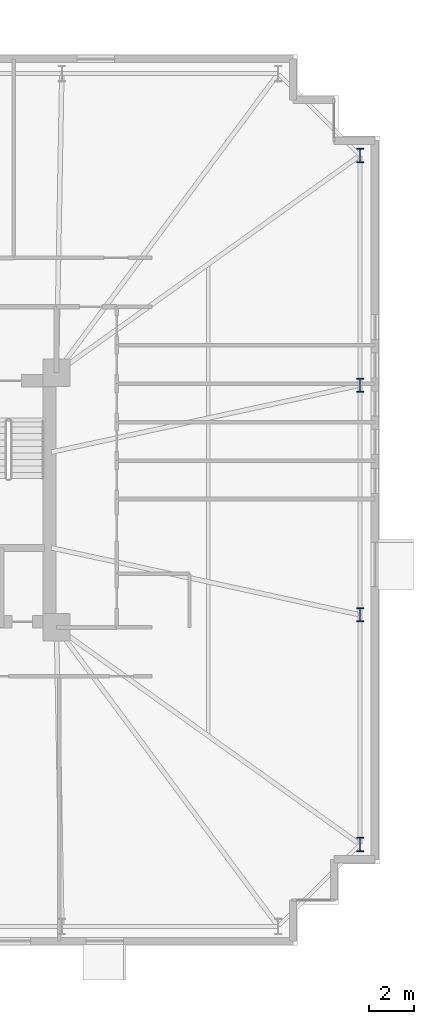
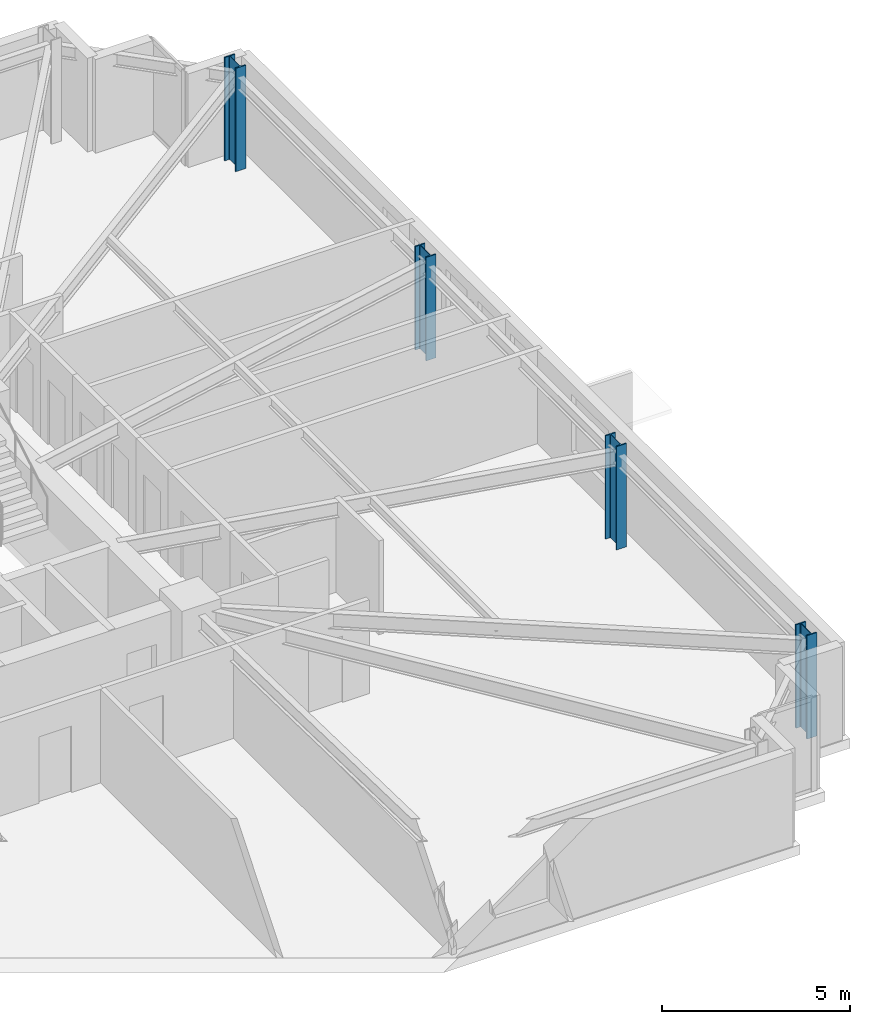
# One storey, part 3 of 21: 4 columns.
"""IFC4 building model written with IfcOpenShell, lengths in metres."""

from ifc_helpers import new_model, si_unit, direction, frame, origin, origin_2d, place, context, subcontext, project, spatial, i_section, extrude, material, material_profile, profile_set, type_object, element, save


model = new_model("IFC4")

# Units and contexts
model_context = context("Model", 3, precision=1e-05, world=origin(), true_north=direction((0.0, 1.0)))
body_context = subcontext(model_context, "Body", "Model", "MODEL_VIEW")
ifc_project = project(units=[si_unit("LENGTHUNIT", "METRE"), si_unit("AREAUNIT", "SQUARE_METRE"), si_unit("VOLUMEUNIT", "CUBIC_METRE"), si_unit("PLANEANGLEUNIT", "RADIAN"), si_unit("MASSUNIT", "GRAM", prefix="KILO")], contexts=[model_context])

# Site, building, storey
site_placement = place(None, origin())
site = spatial("IfcSite", under=ifc_project, at=site_placement, CompositionType="ELEMENT")
building_placement = place(site_placement, origin())
building = spatial("IfcBuilding", under=site, at=building_placement, Name="Qobustan Lattice House", CompositionType="ELEMENT")
storey_placement = place(building_placement, frame((0.0, 0.0, 30.35009765625)))
storey = spatial("IfcBuildingStorey", under=building, at=storey_placement, Name="L07", CompositionType="ELEMENT", Elevation=30.35009765625)

# Columns
ifc_material = material(Name="Steel S460", Category="steel")
ifc_material_profile = material_profile(ifc_material, i_section(OverallWidth=0.304931640625, OverallDepth=0.6201171875, WebThickness=0.02099609375, FlangeThickness=0.0400390625, FilletRadius=0.027099609375, at=origin_2d()), Name="HEM600")
ifc_profile_set = profile_set([ifc_material_profile], Name="Steel S460")
column_type = type_object("IfcColumnType", Name="COL-ST-HEM600", PredefinedType="COLUMN", material=ifc_profile_set)
for number, where, z_axis, x_axis, name in (
    (1, (32.14990234375, -15.14990234375, 0.0), (0.0, 0.0, 1.0), (1.0, 0.0, 0.0), "L07 B1 perimeter column E1"),
    (2, (32.14990234375, -5.050048828125, 0.0), (0.0, 0.0, 1.0), (1.0, 0.0, 0.0), "L07 B1 perimeter column E2"),
    (3, (32.14990234375, 5.050048828125, 0.0), (0.0, 0.0, 1.0), (1.0, 0.0, 0.0), "L07 B1 perimeter column E3"),
    (4, (32.14990234375, 15.14990234375, 0.0), (0.0, 0.0, 1.0), (1.0, 0.0, 0.0), "L07 B1 perimeter column E4"),
):
    element("IfcColumn", number, at=place(storey_placement, frame(where, z_axis=z_axis, x_axis=x_axis)), inside=storey, type_object=column_type, Name=name, PredefinedType="COLUMN", context=body_context, shape_type="SweptSolid", body=[
        extrude(i_section(OverallWidth=0.304931640625, OverallDepth=0.6201171875, WebThickness=0.02099609375, FlangeThickness=0.0400390625, FilletRadius=0.027099609375, at=origin_2d()), origin(), (0.0, 0.0, 1.0), 3.349853515625),
    ])

save(model, "model.ifc")
